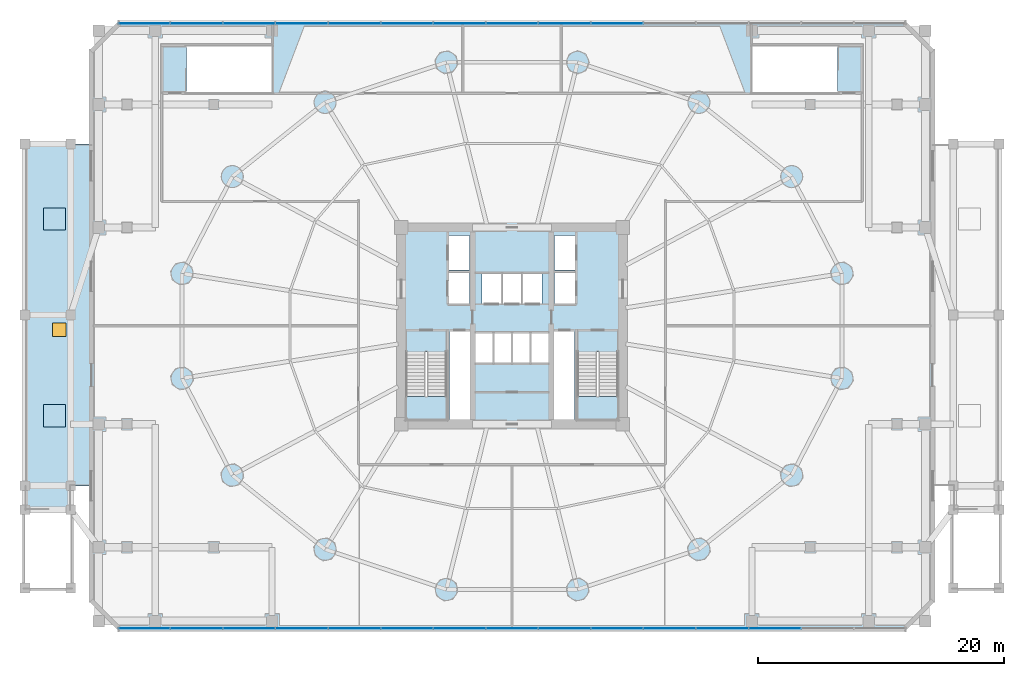
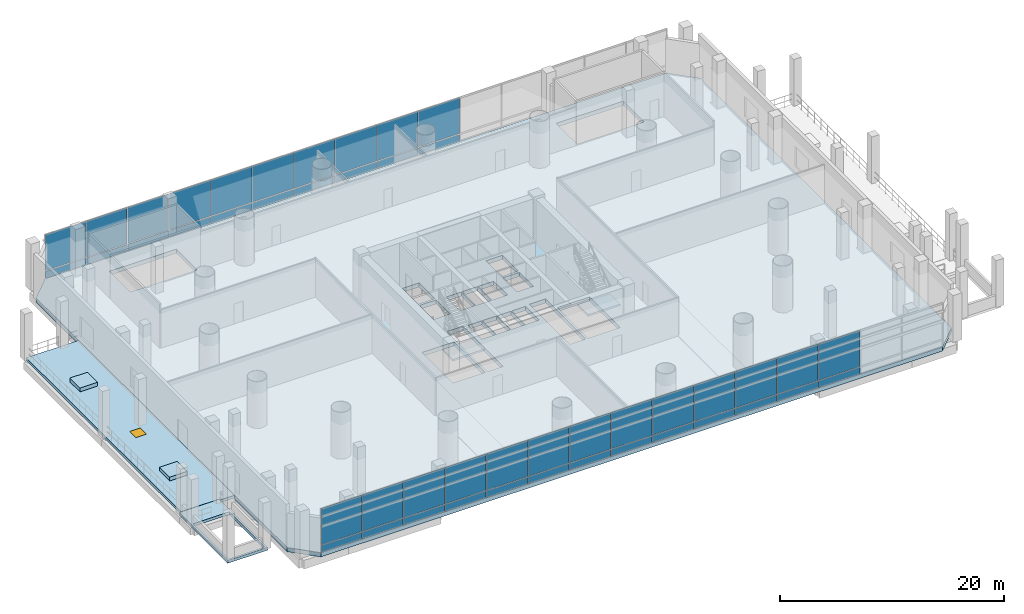
# One storey, part 19 of 31: 46 plates, 7 slabs, 1 door, 1 opening, 4 elements without a shape of their own.
"""IFC4 building model written with IfcOpenShell, lengths in metres."""

from ifc_helpers import new_model, si_unit, direction, frame, origin, origin_2d, place, context, subcontext, project, spatial, polyline, rectangle, outline, extrude, source, transform, mapped, material, layer, layer_set, type_object, element, fill, aggregate, save


model = new_model("IFC4")

# Units and contexts
model_context = context("Model", 3, precision=1e-05, world=origin(), true_north=direction((-0.2419218956, 0.970295726276)))
body_context = subcontext(model_context, "Body", "Model", "MODEL_VIEW")
ifc_project = project(units=[si_unit("LENGTHUNIT", "METRE"), si_unit("AREAUNIT", "SQUARE_METRE"), si_unit("VOLUMEUNIT", "CUBIC_METRE"), si_unit("PLANEANGLEUNIT", "RADIAN"), si_unit("MASSUNIT", "GRAM", prefix="KILO")], contexts=[model_context])

# Site, building, storey
site_placement = place(None, origin())
site = spatial("IfcSite", under=ifc_project, at=site_placement, CompositionType="ELEMENT")
building_placement = place(site_placement, origin())
building = spatial("IfcBuilding", under=site, at=building_placement, Name="Cobrevalo Terracotta Tower", CompositionType="ELEMENT")
storey_placement = place(building_placement, frame((0.0, 0.0, 18.89990234375)))
storey = spatial("IfcBuildingStorey", under=building, at=storey_placement, Name="L04", CompositionType="ELEMENT", Elevation=18.89990234375)

# Slab
ifc_material_1 = material(Name="Concrete C50", Category="concrete")
ifc_layer_1 = layer(ifc_material_1, 0.300048828125)
ifc_layer_set_1 = layer_set([ifc_layer_1], Name="Concrete C50")
slab_type_1 = type_object("IfcSlabType", Name="Podium L01-L03 floor slab 300 mm", PredefinedType="FLOOR", material=ifc_layer_set_1)
slab_1_placement = place(storey_placement, frame((0.0, 0.0, -0.2998046875)))
element("IfcSlab", 1, at=slab_1_placement, inside=storey, type_object=slab_type_1, Name="L04 West monumental raised-garden stair structural floor landing slab", PredefinedType="FLOOR", context=body_context, shape_type="SweptSolid", body=[
    extrude(outline(polyline([(-1.800048828125, 13.949951171875), (2.320068359375, 13.949951171875), (2.320068359375, 5.300048828125), (-1.800048828125, 5.300048828125), (-1.800048828125, 13.949951171875)]), holes=[polyline([(-1.60009765625, 5.5), (2.1201171875, 5.5), (2.1201171875, 11.800048828125), (-1.60009765625, 11.800048828125), (-1.60009765625, 5.5)])]), origin(), (0.0, 0.0, 1.0), 0.2998046875),
])

# Slab, opening, door
ifc_layer_2 = layer(ifc_material_1, 0.300048828125)
ifc_layer_set_2 = layer_set([ifc_layer_2], Name="Concrete C50")
slab_type_2 = type_object("IfcSlabType", Name="Raised public garden terrace deck 300 mm", PredefinedType="FLOOR", material=ifc_layer_set_2)
slab_2_placement = place(storey_placement, frame((0.0, 0.0, -0.2998046875)))
slab_2 = element("IfcSlab", 2, at=slab_2_placement, inside=storey, type_object=slab_type_2, Name="L04 raised public garden deck west", PredefinedType="FLOOR", context=body_context, shape_type="SweptSolid", body=[
    extrude(outline(polyline([(-1.60009765625, 41.60009765625), (3.800048828125, 41.60009765625), (3.800048828125, 13.800048828125), (2.330078125, 13.800048828125), (2.330078125, 13.9599609375), (-1.60009765625, 13.9599609375), (-1.60009765625, 41.60009765625)]), holes=[polyline([(0.64990234375, 25.949951171875), (1.75, 25.949951171875), (1.75, 27.050048828125), (0.64990234375, 27.050048828125), (0.64990234375, 25.949951171875)])]), origin(), (0.0, 0.0, 1.0), 0.2998046875),
])
opening_placement = place(slab_2_placement, frame((1.199951171875, 26.5, 0.0)))
opening = element("IfcOpeningElement", 3, at=opening_placement, cuts=slab_2, Name="Opening ED-04", PredefinedType="OPENING", context=body_context, shape_type="SweptSolid", body=[
    extrude(rectangle(XDim=1.10009765625, YDim=1.10009765625, at=origin_2d()), origin(), (0.0, 0.0, 1.0), 0.2998046875),
])
ifc_material_2 = material(Name="Galvanized powder-coated steel", Category="steel")
door_type = type_object("IfcDoorType", Name="Roof and overrun maintenance access hatch 1100x1100", OperationType="SINGLE_SWING_LEFT", PredefinedType="TRAPDOOR", material=ifc_material_2)
door_placement = place(opening_placement, frame((0.0, 0.0, 0.259765625)))
door = element("IfcDoor", 4, at=door_placement, inside=storey, type_object=door_type, Name="L04 west garden deck maintenance access hatch", OperationType="SINGLE_SWING_LEFT", OverallHeight=1.10009765625, OverallWidth=1.10009765625, PredefinedType="TRAPDOOR", context=body_context, shape_type="SweptSolid", body=[
    extrude(rectangle(XDim=1.10009765625, YDim=1.10009765625, at=origin_2d()), origin(), (0.0, 0.0, 1.0), 0.0400390625),
])
fill(opening, door)

# Stair, slab
stair_type = type_object("IfcStairType", Name="Core protected escape dogleg stair 1600", PredefinedType="HALF_TURN_STAIR", material=ifc_material_1)
stair_1_placement = place(storey_placement, origin())
stair_1 = element("IfcStair", 5, at=stair_1_placement, inside=storey, type_object=stair_type, Name="L04 Protected exit stair ST-1", PredefinedType="HALF_TURN_STAIR")
ifc_layer_3 = layer(ifc_material_1, 0.199951171875)
ifc_layer_set_3 = layer_set([ifc_layer_3], Name="Concrete C50")
slab_type_3 = type_object("IfcSlabType", Name="Reinforced Concrete Stair Landing 200", PredefinedType="LANDING", material=ifc_layer_set_3)
slab_3_placement = place(storey_placement, frame((0.0, 0.0, 2.35009765625)))
slab_3 = element("IfcSlab", 6, at=slab_3_placement, type_object=slab_type_3, Name="ST-1 landing 1", PredefinedType="LANDING", context=body_context, shape_type="SweptSolid", body=[
    extrude(outline(polyline([(29.375, 21.06005859375), (29.375, 19.175048828125), (32.695068359375, 19.175048828125), (32.695068359375, 21.06005859375), (29.375, 21.06005859375)])), origin(), (0.0, 0.0, 1.0), 0.199951171875),
])
aggregate(stair_1, [slab_3])

stair_2_placement = place(storey_placement, origin())
stair_2 = element("IfcStair", 7, at=stair_2_placement, inside=storey, type_object=stair_type, Name="L04 Protected exit stair ST-2", PredefinedType="HALF_TURN_STAIR")
slab_4_placement = place(storey_placement, frame((0.0, 0.0, 2.35009765625)))
slab_4 = element("IfcSlab", 8, at=slab_4_placement, type_object=slab_type_3, Name="ST-2 landing 1", PredefinedType="LANDING", context=body_context, shape_type="SweptSolid", body=[
    extrude(outline(polyline([(43.304931640625, 21.06005859375), (43.304931640625, 19.175048828125), (46.625, 19.175048828125), (46.625, 21.06005859375), (43.304931640625, 21.06005859375)])), origin(), (0.0, 0.0, 1.0), 0.199951171875),
])
aggregate(stair_2, [slab_4])

# Slabs
ifc_material_3 = material(Name="Concrete C55", Category="concrete")
ifc_layer_4 = layer(ifc_material_3, 0.449951171875)
ifc_layer_set_4 = layer_set([ifc_layer_4], Name="Concrete C55")
slab_type_4 = type_object("IfcSlabType", Name="Structural transfer deck slab 450 mm", PredefinedType="FLOOR", material=ifc_layer_set_4)
slab_5_placement = place(storey_placement, frame((0.0, 0.0, -0.449951171875)))
element("IfcSlab", 9, at=slab_5_placement, inside=storey, type_object=slab_type_4, Name="L04 podium indoor floor slab", PredefinedType="FLOOR", context=body_context, shape_type="SweptSolid", body=[
    extrude(outline(polyline([(3.800048828125, 4.39990234375), (3.800048828125, 49.199951171875), (6.0, 51.39990234375), (70.0, 51.39990234375), (72.199951171875, 49.199951171875), (72.199951171875, 4.39990234375), (70.0, 2.199951171875), (6.0, 2.199951171875), (3.800048828125, 4.39990234375)]), holes=[polyline([(29.375, 19.175048828125), (32.695068359375, 19.175048828125), (32.695068359375, 24.659912109375), (29.375, 24.659912109375), (29.375, 19.175048828125)]), polyline([(34.574951171875, 19.175048828125), (34.574951171875, 26.360107421875), (32.919921875, 26.360107421875), (32.919921875, 19.175048828125), (34.574951171875, 19.175048828125)]), polyline([(36.47998046875, 23.800048828125), (36.47998046875, 26.25), (35.050048828125, 26.25), (35.050048828125, 23.800048828125), (36.47998046875, 23.800048828125)]), polyline([(37.9599609375, 23.800048828125), (37.9599609375, 26.25), (36.530029296875, 26.25), (36.530029296875, 23.800048828125), (37.9599609375, 23.800048828125)]), polyline([(37.1201171875, 28.60009765625), (37.1201171875, 31.050048828125), (35.550048828125, 31.050048828125), (35.550048828125, 28.60009765625), (37.1201171875, 28.60009765625)]), polyline([(38.780029296875, 28.60009765625), (38.780029296875, 31.050048828125), (37.219970703125, 31.050048828125), (37.219970703125, 28.60009765625), (38.780029296875, 28.60009765625)]), polyline([(34.550048828125, 28.60009765625), (34.550048828125, 31.10009765625), (32.85009765625, 31.10009765625), (32.85009765625, 28.60009765625), (34.550048828125, 28.60009765625)]), polyline([(34.550048828125, 31.35009765625), (34.550048828125, 34.14990234375), (32.85009765625, 34.14990234375), (32.85009765625, 31.35009765625), (34.550048828125, 31.35009765625)]), polyline([(18.449951171875, 45.800048828125), (18.449951171875, 49.52001953125), (11.5400390625, 49.52001953125), (11.5400390625, 45.800048828125), (18.449951171875, 45.800048828125)]), polyline([(43.304931640625, 19.175048828125), (46.625, 19.175048828125), (46.625, 24.659912109375), (43.304931640625, 24.659912109375), (43.304931640625, 19.175048828125)]), polyline([(43.080078125, 19.175048828125), (43.080078125, 26.360107421875), (41.425048828125, 26.360107421875), (41.425048828125, 19.175048828125), (43.080078125, 19.175048828125)]), polyline([(39.469970703125, 23.800048828125), (39.469970703125, 26.25), (38.0400390625, 26.25), (38.0400390625, 23.800048828125), (39.469970703125, 23.800048828125)]), polyline([(40.949951171875, 23.800048828125), (40.949951171875, 26.25), (39.52001953125, 26.25), (39.52001953125, 23.800048828125), (40.949951171875, 23.800048828125)]), polyline([(40.449951171875, 28.60009765625), (40.449951171875, 31.050048828125), (38.8798828125, 31.050048828125), (38.8798828125, 28.60009765625), (40.449951171875, 28.60009765625)]), polyline([(43.14990234375, 28.60009765625), (43.14990234375, 31.10009765625), (41.449951171875, 31.10009765625), (41.449951171875, 28.60009765625), (43.14990234375, 28.60009765625)]), polyline([(41.449951171875, 31.35009765625), (43.14990234375, 31.35009765625), (43.14990234375, 34.14990234375), (41.449951171875, 34.14990234375), (41.449951171875, 31.35009765625)]), polyline([(64.4599609375, 49.52001953125), (57.550048828125, 49.52001953125), (57.550048828125, 45.800048828125), (64.4599609375, 45.800048828125), (64.4599609375, 49.52001953125)])]), origin(), (0.0, 0.0, 1.0), 0.449951171875),
])
ifc_material_4 = material(Name="Precast concrete C45", Category="concrete")
ifc_layer_5 = layer(ifc_material_4, 0.419921875)
ifc_layer_set_5 = layer_set([ifc_layer_5], Name="Precast concrete C45")
slab_type_5 = type_object("IfcSlabType", Name="Structural tree planter trough base 420 mm", PredefinedType="USERDEFINED", material=ifc_layer_set_5)
slab_6_placement = place(storey_placement, origin())
element("IfcSlab", 10, at=slab_6_placement, inside=storey, type_object=slab_type_5, Name="L04 raised garden tree planter 1", ObjectType="PLANTER", PredefinedType="USERDEFINED", context=body_context, shape_type="SweptSolid", body=[
    extrude(outline(polyline([(-0.10009765625, 18.60009765625), (1.699951171875, 18.60009765625), (1.699951171875, 20.39990234375), (-0.10009765625, 20.39990234375), (-0.10009765625, 18.60009765625)])), origin(), (0.0, 0.0, 1.0), 0.420166015625),
])
slab_7_placement = place(storey_placement, origin())
element("IfcSlab", 11, at=slab_7_placement, inside=storey, type_object=slab_type_5, Name="L04 raised garden tree planter 2", ObjectType="PLANTER", PredefinedType="USERDEFINED", context=body_context, shape_type="SweptSolid", body=[
    extrude(outline(polyline([(-0.10009765625, 34.60009765625), (1.699951171875, 34.60009765625), (1.699951171875, 36.39990234375), (-0.10009765625, 36.39990234375), (-0.10009765625, 34.60009765625)])), origin(), (0.0, 0.0, 1.0), 0.420166015625),
])

# Curtain wall, plate
ifc_material_5 = material(Name="Anodized aluminium", Category="aluminium")
curtain_wall_type = type_object("IfcCurtainWallType", Name="Podium gallery & conservatory curtain wall CW-S2", PredefinedType="NOTDEFINED", material=ifc_material_5)
curtain_wall_1_placement = place(storey_placement, origin())
curtain_wall_1 = element("IfcCurtainWall", 12, at=curtain_wall_1_placement, inside=storey, type_object=curtain_wall_type, Name="L04 curtain wall CW-POD-L04-S", PredefinedType="NOTDEFINED")
ifc_material_6 = material(Name="Terracotta-faced insulated spandrel", Category="masonry")
ifc_layer_6 = layer(ifc_material_6, 0.044921875)
ifc_layer_set_6 = layer_set([ifc_layer_6], Name="Terracotta-faced insulated spandrel")
plate_type_1 = type_object("IfcPlateType", Name="Insulated terracotta-faced spandrel cassette 45 mm", PredefinedType="CURTAIN_PANEL", material=ifc_layer_set_6)
shared_shape_1 = source(origin(), body_context, "Body", "SweptSolid", [
    extrude(rectangle(XDim=4.1533203125, YDim=0.044921875, at=origin_2d()), origin(), (0.0, 0.0, 1.0), 0.739990234375),
])
plate_1_placement = place(storey_placement, frame((8.106689453125, 2.199951171875, 0.0400390625), z_axis=(0.0, 0.0, 1.0), x_axis=(1.0, 0.0, 0.0)))
plate_1 = element("IfcPlate", 13, at=plate_1_placement, type_object=plate_type_1, Name="CW-POD-L04-S terracotta spandrel panel B01", PredefinedType="CURTAIN_PANEL", context=body_context, shape_type="MappedRepresentation", body=[
    mapped(shared_shape_1, transform((0.0, 0.0, 0.0), scale=1.0)),
])

curtain_wall_2_placement = place(storey_placement, origin())
curtain_wall_2 = element("IfcCurtainWall", 14, at=curtain_wall_2_placement, inside=storey, type_object=curtain_wall_type, Name="L04 curtain wall CW-POD-L04-N", PredefinedType="NOTDEFINED")
plate_2_placement = place(storey_placement, frame((8.106689453125, 51.39990234375, 0.0400390625), z_axis=(0.0, 0.0, 1.0), x_axis=(-1.0, 0.0, 0.0)))
plate_2 = element("IfcPlate", 15, at=plate_2_placement, type_object=plate_type_1, Name="CW-POD-L04-N terracotta spandrel panel B15", PredefinedType="CURTAIN_PANEL", context=body_context, shape_type="MappedRepresentation", body=[
    mapped(shared_shape_1, transform((0.0, 0.0, 0.0), scale=1.0)),
])

# Plate
shared_shape_2 = source(origin(), body_context, "Body", "SweptSolid", [
    extrude(rectangle(XDim=4.193359375, YDim=0.044921875, at=origin_2d()), origin(), (0.0, 0.0, 1.0), 0.739990234375),
])
plate_3_placement = place(storey_placement, frame((12.360107421875, 2.199951171875, 0.0400390625), z_axis=(0.0, 0.0, 1.0), x_axis=(1.0, 0.0, 0.0)))
plate_3 = element("IfcPlate", 16, at=plate_3_placement, type_object=plate_type_1, Name="CW-POD-L04-S terracotta spandrel panel B02", PredefinedType="CURTAIN_PANEL", context=body_context, shape_type="MappedRepresentation", body=[
    mapped(shared_shape_2, transform((0.0, 0.0, 0.0), scale=1.0)),
])

plate_4_placement = place(storey_placement, frame((16.63330078125, 2.199951171875, 0.0400390625), z_axis=(0.0, 0.0, 1.0), x_axis=(1.0, 0.0, 0.0)))
plate_4 = element("IfcPlate", 17, at=plate_4_placement, type_object=plate_type_1, Name="CW-POD-L04-S terracotta spandrel panel B03", PredefinedType="CURTAIN_PANEL", context=body_context, shape_type="MappedRepresentation", body=[
    mapped(shared_shape_2, transform((0.0, 0.0, 0.0), scale=1.0)),
])

plate_5_placement = place(storey_placement, frame((20.90673828125, 2.199951171875, 0.0400390625), z_axis=(0.0, 0.0, 1.0), x_axis=(1.0, 0.0, 0.0)))
plate_5 = element("IfcPlate", 18, at=plate_5_placement, type_object=plate_type_1, Name="CW-POD-L04-S terracotta spandrel panel B04", PredefinedType="CURTAIN_PANEL", context=body_context, shape_type="MappedRepresentation", body=[
    mapped(shared_shape_2, transform((0.0, 0.0, 0.0), scale=1.0)),
])

plate_6_placement = place(storey_placement, frame((25.179931640625, 2.199951171875, 0.0400390625), z_axis=(0.0, 0.0, 1.0), x_axis=(1.0, 0.0, 0.0)))
plate_6 = element("IfcPlate", 19, at=plate_6_placement, type_object=plate_type_1, Name="CW-POD-L04-S terracotta spandrel panel B05", PredefinedType="CURTAIN_PANEL", context=body_context, shape_type="MappedRepresentation", body=[
    mapped(shared_shape_2, transform((0.0, 0.0, 0.0), scale=1.0)),
])

plate_7_placement = place(storey_placement, frame((29.453369140625, 2.199951171875, 0.0400390625), z_axis=(0.0, 0.0, 1.0), x_axis=(1.0, 0.0, 0.0)))
plate_7 = element("IfcPlate", 20, at=plate_7_placement, type_object=plate_type_1, Name="CW-POD-L04-S terracotta spandrel panel B06", PredefinedType="CURTAIN_PANEL", context=body_context, shape_type="MappedRepresentation", body=[
    mapped(shared_shape_2, transform((0.0, 0.0, 0.0), scale=1.0)),
])

plate_8_placement = place(storey_placement, frame((33.7265625, 2.199951171875, 0.0400390625), z_axis=(0.0, 0.0, 1.0), x_axis=(1.0, 0.0, 0.0)))
plate_8 = element("IfcPlate", 21, at=plate_8_placement, type_object=plate_type_1, Name="CW-POD-L04-S terracotta spandrel panel B07", PredefinedType="CURTAIN_PANEL", context=body_context, shape_type="MappedRepresentation", body=[
    mapped(shared_shape_2, transform((0.0, 0.0, 0.0), scale=1.0)),
])

plate_9_placement = place(storey_placement, frame((38.0, 2.199951171875, 0.0400390625), z_axis=(0.0, 0.0, 1.0), x_axis=(1.0, 0.0, 0.0)))
plate_9 = element("IfcPlate", 22, at=plate_9_placement, type_object=plate_type_1, Name="CW-POD-L04-S terracotta spandrel panel B08", PredefinedType="CURTAIN_PANEL", context=body_context, shape_type="MappedRepresentation", body=[
    mapped(shared_shape_2, transform((0.0, 0.0, 0.0), scale=1.0)),
])

plate_10_placement = place(storey_placement, frame((42.2734375, 2.199951171875, 0.0400390625), z_axis=(0.0, 0.0, 1.0), x_axis=(1.0, 0.0, 0.0)))
plate_10 = element("IfcPlate", 23, at=plate_10_placement, type_object=plate_type_1, Name="CW-POD-L04-S terracotta spandrel panel B09", PredefinedType="CURTAIN_PANEL", context=body_context, shape_type="MappedRepresentation", body=[
    mapped(shared_shape_2, transform((0.0, 0.0, 0.0), scale=1.0)),
])

plate_11_placement = place(storey_placement, frame((46.546630859375, 2.199951171875, 0.0400390625), z_axis=(0.0, 0.0, 1.0), x_axis=(1.0, 0.0, 0.0)))
plate_11 = element("IfcPlate", 24, at=plate_11_placement, type_object=plate_type_1, Name="CW-POD-L04-S terracotta spandrel panel B10", PredefinedType="CURTAIN_PANEL", context=body_context, shape_type="MappedRepresentation", body=[
    mapped(shared_shape_2, transform((0.0, 0.0, 0.0), scale=1.0)),
])

plate_12_placement = place(storey_placement, frame((50.820068359375, 2.199951171875, 0.0400390625), z_axis=(0.0, 0.0, 1.0), x_axis=(1.0, 0.0, 0.0)))
plate_12 = element("IfcPlate", 25, at=plate_12_placement, type_object=plate_type_1, Name="CW-POD-L04-S terracotta spandrel panel B11", PredefinedType="CURTAIN_PANEL", context=body_context, shape_type="MappedRepresentation", body=[
    mapped(shared_shape_2, transform((0.0, 0.0, 0.0), scale=1.0)),
])

plate_13_placement = place(storey_placement, frame((55.09326171875, 2.199951171875, 0.0400390625), z_axis=(0.0, 0.0, 1.0), x_axis=(1.0, 0.0, 0.0)))
plate_13 = element("IfcPlate", 26, at=plate_13_placement, type_object=plate_type_1, Name="CW-POD-L04-S terracotta spandrel panel B12", PredefinedType="CURTAIN_PANEL", context=body_context, shape_type="MappedRepresentation", body=[
    mapped(shared_shape_2, transform((0.0, 0.0, 0.0), scale=1.0)),
])

plate_14_placement = place(storey_placement, frame((59.36669921875, 2.199951171875, 0.0400390625), z_axis=(0.0, 0.0, 1.0), x_axis=(1.0, 0.0, 0.0)))
plate_14 = element("IfcPlate", 27, at=plate_14_placement, type_object=plate_type_1, Name="CW-POD-L04-S terracotta spandrel panel B13", PredefinedType="CURTAIN_PANEL", context=body_context, shape_type="MappedRepresentation", body=[
    mapped(shared_shape_2, transform((0.0, 0.0, 0.0), scale=1.0)),
])

plate_15_placement = place(storey_placement, frame((46.546630859375, 51.39990234375, 0.0400390625), z_axis=(0.0, 0.0, 1.0), x_axis=(-1.0, 0.0, 0.0)))
plate_15 = element("IfcPlate", 28, at=plate_15_placement, type_object=plate_type_1, Name="CW-POD-L04-N terracotta spandrel panel B06", PredefinedType="CURTAIN_PANEL", context=body_context, shape_type="MappedRepresentation", body=[
    mapped(shared_shape_2, transform((0.0, 0.0, 0.0), scale=1.0)),
])

plate_16_placement = place(storey_placement, frame((42.2734375, 51.39990234375, 0.0400390625), z_axis=(0.0, 0.0, 1.0), x_axis=(-1.0, 0.0, 0.0)))
plate_16 = element("IfcPlate", 29, at=plate_16_placement, type_object=plate_type_1, Name="CW-POD-L04-N terracotta spandrel panel B07", PredefinedType="CURTAIN_PANEL", context=body_context, shape_type="MappedRepresentation", body=[
    mapped(shared_shape_2, transform((0.0, 0.0, 0.0), scale=1.0)),
])

plate_17_placement = place(storey_placement, frame((38.0, 51.39990234375, 0.0400390625), z_axis=(0.0, 0.0, 1.0), x_axis=(-1.0, 0.0, 0.0)))
plate_17 = element("IfcPlate", 30, at=plate_17_placement, type_object=plate_type_1, Name="CW-POD-L04-N terracotta spandrel panel B08", PredefinedType="CURTAIN_PANEL", context=body_context, shape_type="MappedRepresentation", body=[
    mapped(shared_shape_2, transform((0.0, 0.0, 0.0), scale=1.0)),
])

plate_18_placement = place(storey_placement, frame((33.7265625, 51.39990234375, 0.0400390625), z_axis=(0.0, 0.0, 1.0), x_axis=(-1.0, 0.0, 0.0)))
plate_18 = element("IfcPlate", 31, at=plate_18_placement, type_object=plate_type_1, Name="CW-POD-L04-N terracotta spandrel panel B09", PredefinedType="CURTAIN_PANEL", context=body_context, shape_type="MappedRepresentation", body=[
    mapped(shared_shape_2, transform((0.0, 0.0, 0.0), scale=1.0)),
])

plate_19_placement = place(storey_placement, frame((29.453369140625, 51.39990234375, 0.0400390625), z_axis=(0.0, 0.0, 1.0), x_axis=(-1.0, 0.0, 0.0)))
plate_19 = element("IfcPlate", 32, at=plate_19_placement, type_object=plate_type_1, Name="CW-POD-L04-N terracotta spandrel panel B10", PredefinedType="CURTAIN_PANEL", context=body_context, shape_type="MappedRepresentation", body=[
    mapped(shared_shape_2, transform((0.0, 0.0, 0.0), scale=1.0)),
])

plate_20_placement = place(storey_placement, frame((25.179931640625, 51.39990234375, 0.0400390625), z_axis=(0.0, 0.0, 1.0), x_axis=(-1.0, 0.0, 0.0)))
plate_20 = element("IfcPlate", 33, at=plate_20_placement, type_object=plate_type_1, Name="CW-POD-L04-N terracotta spandrel panel B11", PredefinedType="CURTAIN_PANEL", context=body_context, shape_type="MappedRepresentation", body=[
    mapped(shared_shape_2, transform((0.0, 0.0, 0.0), scale=1.0)),
])

plate_21_placement = place(storey_placement, frame((20.90673828125, 51.39990234375, 0.0400390625), z_axis=(0.0, 0.0, 1.0), x_axis=(-1.0, 0.0, 0.0)))
plate_21 = element("IfcPlate", 34, at=plate_21_placement, type_object=plate_type_1, Name="CW-POD-L04-N terracotta spandrel panel B12", PredefinedType="CURTAIN_PANEL", context=body_context, shape_type="MappedRepresentation", body=[
    mapped(shared_shape_2, transform((0.0, 0.0, 0.0), scale=1.0)),
])

plate_22_placement = place(storey_placement, frame((16.63330078125, 51.39990234375, 0.0400390625), z_axis=(0.0, 0.0, 1.0), x_axis=(-1.0, 0.0, 0.0)))
plate_22 = element("IfcPlate", 35, at=plate_22_placement, type_object=plate_type_1, Name="CW-POD-L04-N terracotta spandrel panel B13", PredefinedType="CURTAIN_PANEL", context=body_context, shape_type="MappedRepresentation", body=[
    mapped(shared_shape_2, transform((0.0, 0.0, 0.0), scale=1.0)),
])

plate_23_placement = place(storey_placement, frame((12.360107421875, 51.39990234375, 0.0400390625), z_axis=(0.0, 0.0, 1.0), x_axis=(-1.0, 0.0, 0.0)))
plate_23 = element("IfcPlate", 36, at=plate_23_placement, type_object=plate_type_1, Name="CW-POD-L04-N terracotta spandrel panel B14", PredefinedType="CURTAIN_PANEL", context=body_context, shape_type="MappedRepresentation", body=[
    mapped(shared_shape_2, transform((0.0, 0.0, 0.0), scale=1.0)),
])

ifc_material_7 = material(Name="Laminated low-E double glazing", Category="glass")
ifc_layer_7 = layer(ifc_material_7, 0.031982421875)
ifc_layer_set_7 = layer_set([ifc_layer_7], Name="Laminated low-E double glazing")
plate_type_2 = type_object("IfcPlateType", Name="Podium clear acoustic laminated glazing panel 32 mm", PredefinedType="CURTAIN_PANEL", material=ifc_layer_set_7)
shared_shape_3 = source(origin(), body_context, "Body", "SweptSolid", [
    extrude(rectangle(XDim=4.1533203125, YDim=0.035888671875, at=origin_2d()), origin(), (0.0, 0.0, 1.0), 3.919921875),
])
plate_24_placement = place(storey_placement, frame((8.106689453125, 2.199951171875, 0.860107421875), z_axis=(0.0, 0.0, 1.0), x_axis=(1.0, 0.0, 0.0)))
plate_24 = element("IfcPlate", 37, at=plate_24_placement, type_object=plate_type_2, Name="CW-POD-L04-S glazing panel B01", PredefinedType="CURTAIN_PANEL", context=body_context, shape_type="MappedRepresentation", body=[
    mapped(shared_shape_3, transform((0.0, 0.0, 0.0), scale=1.0)),
])

plate_25_placement = place(storey_placement, frame((8.106689453125, 51.39990234375, 0.860107421875), z_axis=(0.0, 0.0, 1.0), x_axis=(-1.0, 0.0, 0.0)))
plate_25 = element("IfcPlate", 38, at=plate_25_placement, type_object=plate_type_2, Name="CW-POD-L04-N glazing panel B15", PredefinedType="CURTAIN_PANEL", context=body_context, shape_type="MappedRepresentation", body=[
    mapped(shared_shape_3, transform((0.0, 0.0, 0.0), scale=1.0)),
])

shared_shape_4 = source(origin(), body_context, "Body", "SweptSolid", [
    extrude(rectangle(XDim=4.193359375, YDim=0.035888671875, at=origin_2d()), origin(), (0.0, 0.0, 1.0), 3.919921875),
])
plate_26_placement = place(storey_placement, frame((12.360107421875, 2.199951171875, 0.860107421875), z_axis=(0.0, 0.0, 1.0), x_axis=(1.0, 0.0, 0.0)))
plate_26 = element("IfcPlate", 39, at=plate_26_placement, type_object=plate_type_2, Name="CW-POD-L04-S glazing panel B02", PredefinedType="CURTAIN_PANEL", context=body_context, shape_type="MappedRepresentation", body=[
    mapped(shared_shape_4, transform((0.0, 0.0, 0.0), scale=1.0)),
])

plate_27_placement = place(storey_placement, frame((16.63330078125, 2.199951171875, 0.860107421875), z_axis=(0.0, 0.0, 1.0), x_axis=(1.0, 0.0, 0.0)))
plate_27 = element("IfcPlate", 40, at=plate_27_placement, type_object=plate_type_2, Name="CW-POD-L04-S glazing panel B03", PredefinedType="CURTAIN_PANEL", context=body_context, shape_type="MappedRepresentation", body=[
    mapped(shared_shape_4, transform((0.0, 0.0, 0.0), scale=1.0)),
])

plate_28_placement = place(storey_placement, frame((20.90673828125, 2.199951171875, 0.860107421875), z_axis=(0.0, 0.0, 1.0), x_axis=(1.0, 0.0, 0.0)))
plate_28 = element("IfcPlate", 41, at=plate_28_placement, type_object=plate_type_2, Name="CW-POD-L04-S glazing panel B04", PredefinedType="CURTAIN_PANEL", context=body_context, shape_type="MappedRepresentation", body=[
    mapped(shared_shape_4, transform((0.0, 0.0, 0.0), scale=1.0)),
])

plate_29_placement = place(storey_placement, frame((25.179931640625, 2.199951171875, 0.860107421875), z_axis=(0.0, 0.0, 1.0), x_axis=(1.0, 0.0, 0.0)))
plate_29 = element("IfcPlate", 42, at=plate_29_placement, type_object=plate_type_2, Name="CW-POD-L04-S glazing panel B05", PredefinedType="CURTAIN_PANEL", context=body_context, shape_type="MappedRepresentation", body=[
    mapped(shared_shape_4, transform((0.0, 0.0, 0.0), scale=1.0)),
])

plate_30_placement = place(storey_placement, frame((29.453369140625, 2.199951171875, 0.860107421875), z_axis=(0.0, 0.0, 1.0), x_axis=(1.0, 0.0, 0.0)))
plate_30 = element("IfcPlate", 43, at=plate_30_placement, type_object=plate_type_2, Name="CW-POD-L04-S glazing panel B06", PredefinedType="CURTAIN_PANEL", context=body_context, shape_type="MappedRepresentation", body=[
    mapped(shared_shape_4, transform((0.0, 0.0, 0.0), scale=1.0)),
])

plate_31_placement = place(storey_placement, frame((33.7265625, 2.199951171875, 0.860107421875), z_axis=(0.0, 0.0, 1.0), x_axis=(1.0, 0.0, 0.0)))
plate_31 = element("IfcPlate", 44, at=plate_31_placement, type_object=plate_type_2, Name="CW-POD-L04-S glazing panel B07", PredefinedType="CURTAIN_PANEL", context=body_context, shape_type="MappedRepresentation", body=[
    mapped(shared_shape_4, transform((0.0, 0.0, 0.0), scale=1.0)),
])

plate_32_placement = place(storey_placement, frame((38.0, 2.199951171875, 0.860107421875), z_axis=(0.0, 0.0, 1.0), x_axis=(1.0, 0.0, 0.0)))
plate_32 = element("IfcPlate", 45, at=plate_32_placement, type_object=plate_type_2, Name="CW-POD-L04-S glazing panel B08", PredefinedType="CURTAIN_PANEL", context=body_context, shape_type="MappedRepresentation", body=[
    mapped(shared_shape_4, transform((0.0, 0.0, 0.0), scale=1.0)),
])

plate_33_placement = place(storey_placement, frame((42.2734375, 2.199951171875, 0.860107421875), z_axis=(0.0, 0.0, 1.0), x_axis=(1.0, 0.0, 0.0)))
plate_33 = element("IfcPlate", 46, at=plate_33_placement, type_object=plate_type_2, Name="CW-POD-L04-S glazing panel B09", PredefinedType="CURTAIN_PANEL", context=body_context, shape_type="MappedRepresentation", body=[
    mapped(shared_shape_4, transform((0.0, 0.0, 0.0), scale=1.0)),
])

plate_34_placement = place(storey_placement, frame((46.546630859375, 2.199951171875, 0.860107421875), z_axis=(0.0, 0.0, 1.0), x_axis=(1.0, 0.0, 0.0)))
plate_34 = element("IfcPlate", 47, at=plate_34_placement, type_object=plate_type_2, Name="CW-POD-L04-S glazing panel B10", PredefinedType="CURTAIN_PANEL", context=body_context, shape_type="MappedRepresentation", body=[
    mapped(shared_shape_4, transform((0.0, 0.0, 0.0), scale=1.0)),
])

plate_35_placement = place(storey_placement, frame((50.820068359375, 2.199951171875, 0.860107421875), z_axis=(0.0, 0.0, 1.0), x_axis=(1.0, 0.0, 0.0)))
plate_35 = element("IfcPlate", 48, at=plate_35_placement, type_object=plate_type_2, Name="CW-POD-L04-S glazing panel B11", PredefinedType="CURTAIN_PANEL", context=body_context, shape_type="MappedRepresentation", body=[
    mapped(shared_shape_4, transform((0.0, 0.0, 0.0), scale=1.0)),
])

plate_36_placement = place(storey_placement, frame((55.09326171875, 2.199951171875, 0.860107421875), z_axis=(0.0, 0.0, 1.0), x_axis=(1.0, 0.0, 0.0)))
plate_36 = element("IfcPlate", 49, at=plate_36_placement, type_object=plate_type_2, Name="CW-POD-L04-S glazing panel B12", PredefinedType="CURTAIN_PANEL", context=body_context, shape_type="MappedRepresentation", body=[
    mapped(shared_shape_4, transform((0.0, 0.0, 0.0), scale=1.0)),
])

plate_37_placement = place(storey_placement, frame((59.36669921875, 2.199951171875, 0.860107421875), z_axis=(0.0, 0.0, 1.0), x_axis=(1.0, 0.0, 0.0)))
plate_37 = element("IfcPlate", 50, at=plate_37_placement, type_object=plate_type_2, Name="CW-POD-L04-S glazing panel B13", PredefinedType="CURTAIN_PANEL", context=body_context, shape_type="MappedRepresentation", body=[
    mapped(shared_shape_4, transform((0.0, 0.0, 0.0), scale=1.0)),
])

aggregate(curtain_wall_1, [plate_1, plate_24, plate_3, plate_26, plate_4, plate_27, plate_5, plate_28, plate_6, plate_29, plate_7, plate_30, plate_8, plate_31, plate_9, plate_32, plate_10, plate_33, plate_11, plate_34, plate_12, plate_35, plate_13, plate_36, plate_14, plate_37])

plate_38_placement = place(storey_placement, frame((46.546630859375, 51.39990234375, 0.860107421875), z_axis=(0.0, 0.0, 1.0), x_axis=(-1.0, 0.0, 0.0)))
plate_38 = element("IfcPlate", 51, at=plate_38_placement, type_object=plate_type_2, Name="CW-POD-L04-N glazing panel B06", PredefinedType="CURTAIN_PANEL", context=body_context, shape_type="MappedRepresentation", body=[
    mapped(shared_shape_4, transform((0.0, 0.0, 0.0), scale=1.0)),
])

plate_39_placement = place(storey_placement, frame((42.2734375, 51.39990234375, 0.860107421875), z_axis=(0.0, 0.0, 1.0), x_axis=(-1.0, 0.0, 0.0)))
plate_39 = element("IfcPlate", 52, at=plate_39_placement, type_object=plate_type_2, Name="CW-POD-L04-N glazing panel B07", PredefinedType="CURTAIN_PANEL", context=body_context, shape_type="MappedRepresentation", body=[
    mapped(shared_shape_4, transform((0.0, 0.0, 0.0), scale=1.0)),
])

plate_40_placement = place(storey_placement, frame((38.0, 51.39990234375, 0.860107421875), z_axis=(0.0, 0.0, 1.0), x_axis=(-1.0, 0.0, 0.0)))
plate_40 = element("IfcPlate", 53, at=plate_40_placement, type_object=plate_type_2, Name="CW-POD-L04-N glazing panel B08", PredefinedType="CURTAIN_PANEL", context=body_context, shape_type="MappedRepresentation", body=[
    mapped(shared_shape_4, transform((0.0, 0.0, 0.0), scale=1.0)),
])

plate_41_placement = place(storey_placement, frame((33.7265625, 51.39990234375, 0.860107421875), z_axis=(0.0, 0.0, 1.0), x_axis=(-1.0, 0.0, 0.0)))
plate_41 = element("IfcPlate", 54, at=plate_41_placement, type_object=plate_type_2, Name="CW-POD-L04-N glazing panel B09", PredefinedType="CURTAIN_PANEL", context=body_context, shape_type="MappedRepresentation", body=[
    mapped(shared_shape_4, transform((0.0, 0.0, 0.0), scale=1.0)),
])

plate_42_placement = place(storey_placement, frame((29.453369140625, 51.39990234375, 0.860107421875), z_axis=(0.0, 0.0, 1.0), x_axis=(-1.0, 0.0, 0.0)))
plate_42 = element("IfcPlate", 55, at=plate_42_placement, type_object=plate_type_2, Name="CW-POD-L04-N glazing panel B10", PredefinedType="CURTAIN_PANEL", context=body_context, shape_type="MappedRepresentation", body=[
    mapped(shared_shape_4, transform((0.0, 0.0, 0.0), scale=1.0)),
])

plate_43_placement = place(storey_placement, frame((25.179931640625, 51.39990234375, 0.860107421875), z_axis=(0.0, 0.0, 1.0), x_axis=(-1.0, 0.0, 0.0)))
plate_43 = element("IfcPlate", 56, at=plate_43_placement, type_object=plate_type_2, Name="CW-POD-L04-N glazing panel B11", PredefinedType="CURTAIN_PANEL", context=body_context, shape_type="MappedRepresentation", body=[
    mapped(shared_shape_4, transform((0.0, 0.0, 0.0), scale=1.0)),
])

plate_44_placement = place(storey_placement, frame((20.90673828125, 51.39990234375, 0.860107421875), z_axis=(0.0, 0.0, 1.0), x_axis=(-1.0, 0.0, 0.0)))
plate_44 = element("IfcPlate", 57, at=plate_44_placement, type_object=plate_type_2, Name="CW-POD-L04-N glazing panel B12", PredefinedType="CURTAIN_PANEL", context=body_context, shape_type="MappedRepresentation", body=[
    mapped(shared_shape_4, transform((0.0, 0.0, 0.0), scale=1.0)),
])

plate_45_placement = place(storey_placement, frame((16.63330078125, 51.39990234375, 0.860107421875), z_axis=(0.0, 0.0, 1.0), x_axis=(-1.0, 0.0, 0.0)))
plate_45 = element("IfcPlate", 58, at=plate_45_placement, type_object=plate_type_2, Name="CW-POD-L04-N glazing panel B13", PredefinedType="CURTAIN_PANEL", context=body_context, shape_type="MappedRepresentation", body=[
    mapped(shared_shape_4, transform((0.0, 0.0, 0.0), scale=1.0)),
])

plate_46_placement = place(storey_placement, frame((12.360107421875, 51.39990234375, 0.860107421875), z_axis=(0.0, 0.0, 1.0), x_axis=(-1.0, 0.0, 0.0)))
plate_46 = element("IfcPlate", 59, at=plate_46_placement, type_object=plate_type_2, Name="CW-POD-L04-N glazing panel B14", PredefinedType="CURTAIN_PANEL", context=body_context, shape_type="MappedRepresentation", body=[
    mapped(shared_shape_4, transform((0.0, 0.0, 0.0), scale=1.0)),
])

aggregate(curtain_wall_2, [plate_15, plate_38, plate_16, plate_39, plate_17, plate_40, plate_18, plate_41, plate_19, plate_42, plate_20, plate_43, plate_21, plate_44, plate_22, plate_45, plate_23, plate_46, plate_2, plate_25])

save(model, "model.ifc")
